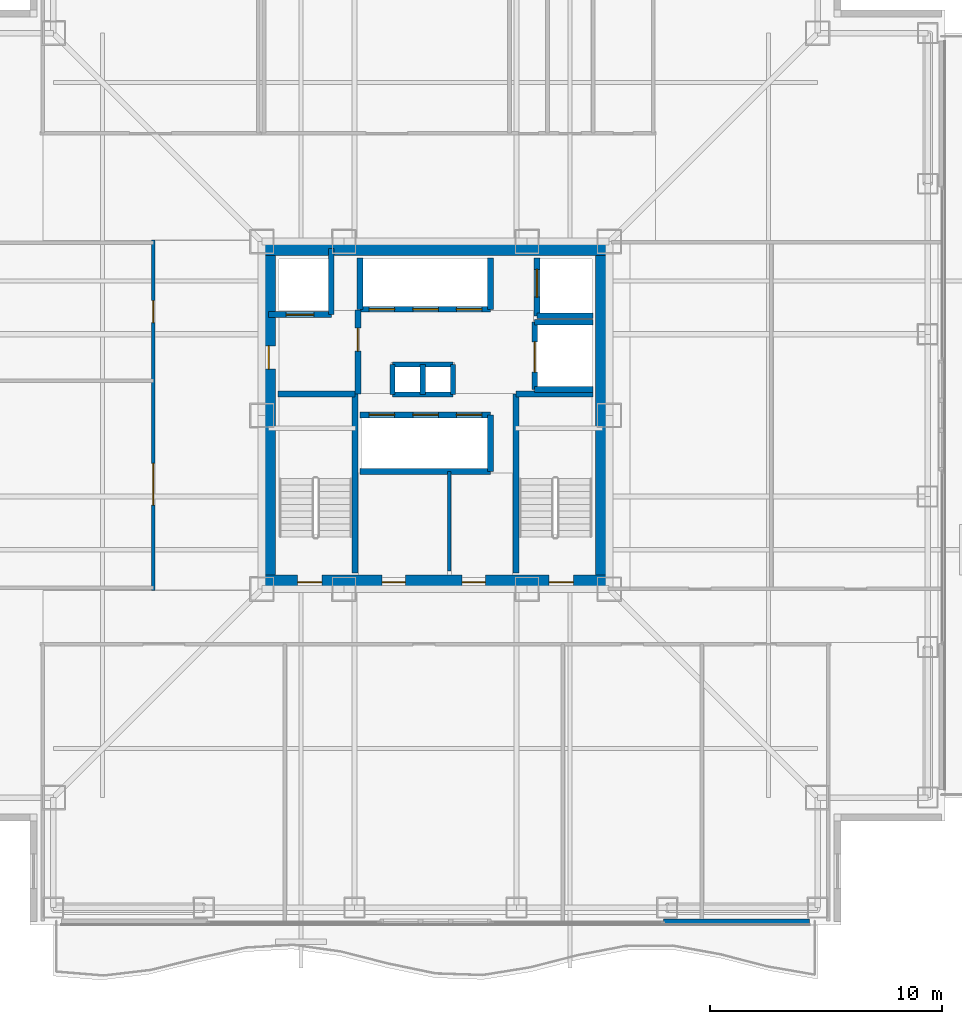
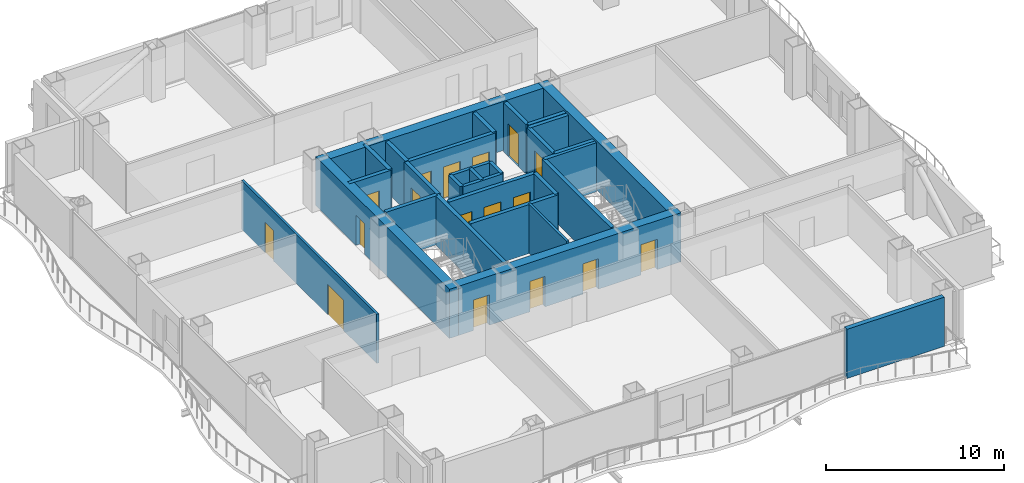
# One storey, part 12 of 18: 30 walls, 17 doors, 17 openings.
"""IFC4 building model written with IfcOpenShell, lengths in metres."""

from ifc_helpers import new_model, si_unit, direction, frame, frame_2d, origin, place, context, subcontext, project, spatial, rectangle, extrude, material, layer, layer_set, type_object, element, fill, save


model = new_model("IFC4")

# Units and contexts
model_context = context("Model", 3, precision=1e-05, world=origin(), true_north=direction((0.0, 1.0)))
body_context = subcontext(model_context, "Body", "Model", "MODEL_VIEW")
ifc_project = project(units=[si_unit("LENGTHUNIT", "METRE"), si_unit("AREAUNIT", "SQUARE_METRE"), si_unit("VOLUMEUNIT", "CUBIC_METRE"), si_unit("PLANEANGLEUNIT", "RADIAN"), si_unit("MASSUNIT", "GRAM", prefix="KILO")], contexts=[model_context])

# Site, building, storey
site_placement = place(None, origin())
site = spatial("IfcSite", under=ifc_project, at=site_placement, CompositionType="ELEMENT")
building_placement = place(site_placement, origin())
building = spatial("IfcBuilding", under=site, at=building_placement, Name="Trevonay Congress Spire", CompositionType="ELEMENT")
storey_placement = place(building_placement, frame((0.0, 0.0, 122.800048828125)))
storey = spatial("IfcBuildingStorey", under=building, at=storey_placement, Name="L31", CompositionType="ELEMENT", Elevation=122.800048828125)

# Wall, openings, doors
ifc_material_1 = material(Name="Concrete C60/75", Category="concrete")
ifc_layer_1 = layer(ifc_material_1, 0.60009765625, Name="Concrete C60/75")
ifc_layer_set_1 = layer_set([ifc_layer_1], Name="Concrete C60/75")
wall_type_1 = type_object("IfcWallType", Name="WAL-CORE-600", PredefinedType="SHEAR", material=ifc_layer_set_1)
wall_1_placement = place(storey_placement, frame((-7.5, -7.199951171875, 0.0), z_axis=(0.0, 0.0, 1.0), x_axis=(1.0, 0.0, 0.0)))
wall_1 = element("IfcWall", 1, at=wall_1_placement, inside=storey, type_object=wall_type_1, Name="L31 South structural core shear wall", PredefinedType="SHEAR", context=body_context, shape_type="SweptSolid", body=[
    extrude(rectangle(XDim=15.0, YDim=0.60009765625, at=frame_2d((7.5, 0.0))), origin(), (0.0, 0.0, 1.0), 3.35986328125),
])
opening_1_placement = place(wall_1_placement, frame((1.550048828125, 0.0, 0.0)))
opening_1 = element("IfcOpeningElement", 2, at=opening_1_placement, cuts=wall_1, Name="Opening D05", PredefinedType="OPENING", context=body_context, shape_type="SweptSolid", body=[
    extrude(rectangle(XDim=1.050048828125, YDim=2.080078125, at=frame_2d((0.52490234375, 1.0400390625))), frame((0.0, 0.31005859375, 0.0), z_axis=(0.0, -1.0, 0.0), x_axis=(1.0, 0.0, 0.0)), (0.0, 0.0, 1.0), 0.6201171875),
])
opening_2_placement = place(wall_1_placement, frame((12.39990234375, 0.0, 0.0)))
opening_2 = element("IfcOpeningElement", 3, at=opening_2_placement, cuts=wall_1, Name="Opening D05", PredefinedType="OPENING", context=body_context, shape_type="SweptSolid", body=[
    extrude(rectangle(XDim=1.050048828125, YDim=2.080078125, at=frame_2d((0.52490234375, 1.0400390625))), frame((0.0, 0.31005859375, 0.0), z_axis=(0.0, -1.0, 0.0), x_axis=(1.0, 0.0, 0.0)), (0.0, 0.0, 1.0), 0.6201171875),
])
opening_3_placement = place(wall_1_placement, frame((5.199951171875, 0.0, 0.0)))
opening_3 = element("IfcOpeningElement", 4, at=opening_3_placement, cuts=wall_1, Name="Opening D06", PredefinedType="OPENING", context=body_context, shape_type="SweptSolid", body=[
    extrude(rectangle(XDim=1.0, YDim=2.080078125, at=frame_2d((0.5, 1.0400390625))), frame((0.0, 0.31005859375, 0.0), z_axis=(0.0, -1.0, 0.0), x_axis=(1.0, 0.0, 0.0)), (0.0, 0.0, 1.0), 0.6201171875),
])
opening_4_placement = place(wall_1_placement, frame((8.64990234375, 0.0, 0.0)))
opening_4 = element("IfcOpeningElement", 5, at=opening_4_placement, cuts=wall_1, Name="Opening D06", PredefinedType="OPENING", context=body_context, shape_type="SweptSolid", body=[
    extrude(rectangle(XDim=1.0, YDim=2.080078125, at=frame_2d((0.5, 1.0400390625))), frame((0.0, 0.31005859375, 0.0), z_axis=(0.0, -1.0, 0.0), x_axis=(1.0, 0.0, 0.0)), (0.0, 0.0, 1.0), 0.6201171875),
])
ifc_material_2 = material(Name="Steel ASTM A572 Grade 50", Category="steel")
door_type_1 = type_object("IfcDoorType", Name="DOR-FIRE-100", OperationType="NOTDEFINED", PredefinedType="DOOR", material=ifc_material_2)
door_1_placement = place(opening_3_placement, origin())
door_1 = element("IfcDoor", 6, at=door_1_placement, inside=storey, type_object=door_type_1, Name="L31 South Core Room 1 Door", OperationType="SINGLE_SWING_LEFT", OverallHeight=2.080078125, OverallWidth=1.0, PredefinedType="DOOR", context=body_context, shape_type="SweptSolid", body=[
    extrude(rectangle(XDim=1.0, YDim=2.080078125, at=frame_2d((0.5, 1.0400390625))), frame((0.0, 0.02490234375, 0.0), z_axis=(0.0, -1.0, 0.0), x_axis=(1.0, 0.0, 0.0)), (0.0, 0.0, 1.0), 0.050048828125),
])
fill(opening_3, door_1)
door_2_placement = place(opening_4_placement, origin())
door_2 = element("IfcDoor", 7, at=door_2_placement, inside=storey, type_object=door_type_1, Name="L31 South Core Room 2 Door", OperationType="SINGLE_SWING_RIGHT", OverallHeight=2.080078125, OverallWidth=1.0, PredefinedType="DOOR", context=body_context, shape_type="SweptSolid", body=[
    extrude(rectangle(XDim=1.0, YDim=2.080078125, at=frame_2d((0.5, 1.0400390625))), frame((0.0, 0.02490234375, 0.0), z_axis=(0.0, -1.0, 0.0), x_axis=(1.0, 0.0, 0.0)), (0.0, 0.0, 1.0), 0.050048828125),
])
fill(opening_4, door_2)
door_type_2 = type_object("IfcDoorType", Name="DOR-STAIR-110", OperationType="NOTDEFINED", PredefinedType="DOOR", material=ifc_material_2)
door_3_placement = place(opening_1_placement, origin())
door_3 = element("IfcDoor", 8, at=door_3_placement, inside=storey, type_object=door_type_2, Name="L31 Protected Stair ST-1 Door", OperationType="SINGLE_SWING_RIGHT", OverallHeight=2.080078125, OverallWidth=1.050048828125, PredefinedType="DOOR", context=body_context, shape_type="SweptSolid", body=[
    extrude(rectangle(XDim=1.050048828125, YDim=2.080078125, at=frame_2d((0.52490234375, 1.0400390625))), frame((0.0, 0.02490234375, 0.0), z_axis=(0.0, -1.0, 0.0), x_axis=(1.0, 0.0, 0.0)), (0.0, 0.0, 1.0), 0.050048828125),
])
fill(opening_1, door_3)
door_4_placement = place(opening_2_placement, origin())
door_4 = element("IfcDoor", 9, at=door_4_placement, inside=storey, type_object=door_type_2, Name="L31 Protected Stair ST-2 Door", OperationType="SINGLE_SWING_LEFT", OverallHeight=2.080078125, OverallWidth=1.050048828125, PredefinedType="DOOR", context=body_context, shape_type="SweptSolid", body=[
    extrude(rectangle(XDim=1.050048828125, YDim=2.080078125, at=frame_2d((0.52490234375, 1.0400390625))), frame((0.0, 0.02490234375, 0.0), z_axis=(0.0, -1.0, 0.0), x_axis=(1.0, 0.0, 0.0)), (0.0, 0.0, 1.0), 0.050048828125),
])
fill(opening_2, door_4)

# Wall
wall_2_placement = place(storey_placement, frame((-7.5, 7.199951171875, 0.0), z_axis=(0.0, 0.0, 1.0), x_axis=(1.0, 0.0, 0.0)))
element("IfcWall", 10, at=wall_2_placement, inside=storey, type_object=wall_type_1, Name="L31 North structural core shear wall", PredefinedType="SHEAR", context=body_context, shape_type="SweptSolid", body=[
    extrude(rectangle(XDim=15.0, YDim=0.60009765625, at=frame_2d((7.5, 0.0))), origin(), (0.0, 0.0, 1.0), 3.35986328125),
])

# Wall, opening, door
wall_3_placement = place(storey_placement, frame((-7.199951171875, -7.5, 0.0), z_axis=(0.0, 0.0, 1.0), x_axis=(0.0, 1.0, 0.0)))
wall_3 = element("IfcWall", 11, at=wall_3_placement, inside=storey, type_object=wall_type_1, Name="L31 West structural core shear wall", PredefinedType="SHEAR", context=body_context, shape_type="SweptSolid", body=[
    extrude(rectangle(XDim=15.0, YDim=0.60009765625, at=frame_2d((7.5, 0.0))), origin(), (0.0, 0.0, 1.0), 3.35986328125),
])
opening_5_placement = place(wall_3_placement, frame((9.5, 0.0, 0.0)))
opening_5 = element("IfcOpeningElement", 12, at=opening_5_placement, cuts=wall_3, Name="Opening D06", PredefinedType="OPENING", context=body_context, shape_type="SweptSolid", body=[
    extrude(rectangle(XDim=1.0, YDim=2.080078125, at=frame_2d((0.5, 1.0400390625))), frame((0.0, 0.31005859375, 0.0), z_axis=(0.0, -1.0, 0.0), x_axis=(1.0, 0.0, 0.0)), (0.0, 0.0, 1.0), 0.6201171875),
])
door_5_placement = place(opening_5_placement, origin())
door_5 = element("IfcDoor", 13, at=door_5_placement, inside=storey, type_object=door_type_1, Name="L31 Firefighting Lift Lobby West Corridor Door", OperationType="SINGLE_SWING_RIGHT", OverallHeight=2.080078125, OverallWidth=1.0, PredefinedType="DOOR", context=body_context, shape_type="SweptSolid", body=[
    extrude(rectangle(XDim=1.0, YDim=2.080078125, at=frame_2d((0.5, 1.0400390625))), frame((0.0, 0.02490234375, 0.0), z_axis=(0.0, -1.0, 0.0), x_axis=(1.0, 0.0, 0.0)), (0.0, 0.0, 1.0), 0.050048828125),
])
fill(opening_5, door_5)

# Wall
wall_4_placement = place(storey_placement, frame((7.199951171875, -7.5, 0.0), z_axis=(0.0, 0.0, 1.0), x_axis=(0.0, 1.0, 0.0)))
element("IfcWall", 14, at=wall_4_placement, inside=storey, type_object=wall_type_1, Name="L31 East structural core shear wall", PredefinedType="SHEAR", context=body_context, shape_type="SweptSolid", body=[
    extrude(rectangle(XDim=15.0, YDim=0.60009765625, at=frame_2d((7.5, 0.0))), origin(), (0.0, 0.0, 1.0), 3.35986328125),
])

# Wall, openings, doors
ifc_material_3 = material(Name="Concrete C40/50", Category="concrete")
ifc_layer_2 = layer(ifc_material_3, 0.14990234375, Name="Concrete C40/50")
ifc_layer_set_2 = layer_set([ifc_layer_2], Name="Concrete C40/50")
wall_type_2 = type_object("IfcWallType", Name="WAL-CORR-150", PredefinedType="PARTITIONING", material=ifc_layer_set_2)
wall_5_placement = place(storey_placement, frame((-12.179931640625, -7.570068359375, 0.0), z_axis=(0.0, 0.0, 1.0), x_axis=(0.0, 1.0, 0.0)))
wall_5 = element("IfcWall", 15, at=wall_5_placement, inside=storey, type_object=wall_type_2, Name="L31 interior wall WP-L31W-COR", PredefinedType="PARTITIONING", context=body_context, shape_type="SweptSolid", body=[
    extrude(rectangle(XDim=15.14013671875, YDim=0.14990234375, at=frame_2d((7.570068359375, 0.0))), origin(), (0.0, 0.0, 1.0), 3.35986328125),
])
opening_6_placement = place(wall_5_placement, frame((3.695068359375, 0.0, 0.0)))
opening_6 = element("IfcOpeningElement", 16, at=opening_6_placement, cuts=wall_5, Name="Opening D09", PredefinedType="OPENING", context=body_context, shape_type="SweptSolid", body=[
    extrude(rectangle(XDim=1.800048828125, YDim=2.080078125, at=frame_2d((0.89990234375, 1.0400390625))), frame((0.0, 0.0849609375, 0.0), z_axis=(0.0, -1.0, 0.0), x_axis=(1.0, 0.0, 0.0)), (0.0, 0.0, 1.0), 0.169921875),
])
opening_7_placement = place(wall_5_placement, frame((11.570068359375, 0.0, 0.0)))
opening_7 = element("IfcOpeningElement", 17, at=opening_7_placement, cuts=wall_5, Name="Opening D07", PredefinedType="OPENING", context=body_context, shape_type="SweptSolid", body=[
    extrude(rectangle(XDim=0.949951171875, YDim=2.06005859375, at=frame_2d((0.47509765625, 1.030029296875))), frame((0.0, 0.0849609375, 0.0), z_axis=(0.0, -1.0, 0.0), x_axis=(1.0, 0.0, 0.0)), (0.0, 0.0, 1.0), 0.169921875),
])
ifc_material_4 = material(Name="Pale Anodised Aluminium EN AW-6063-T6", Category="aluminium")
door_type_3 = type_object("IfcDoorType", Name="DOR-CONF-DBL", OperationType="DOUBLE_DOOR_SINGLE_SWING", PredefinedType="DOOR", material=ifc_material_4)
door_6_placement = place(opening_6_placement, origin())
door_6 = element("IfcDoor", 18, at=door_6_placement, inside=storey, type_object=door_type_3, Name="L31 Delegates Club Lounge Door", OperationType="DOUBLE_DOOR_SINGLE_SWING", OverallHeight=2.080078125, OverallWidth=1.800048828125, PredefinedType="DOOR", context=body_context, shape_type="SweptSolid", body=[
    extrude(rectangle(XDim=1.800048828125, YDim=2.080078125, at=frame_2d((0.89990234375, 1.0400390625))), frame((0.0, 0.02490234375, 0.0), z_axis=(0.0, -1.0, 0.0), x_axis=(1.0, 0.0, 0.0)), (0.0, 0.0, 1.0), 0.050048828125),
])
fill(opening_6, door_6)
door_type_4 = type_object("IfcDoorType", Name="DOR-OFFICE-95", OperationType="NOTDEFINED", PredefinedType="DOOR", material=ifc_material_4)
door_7_placement = place(opening_7_placement, origin())
door_7 = element("IfcDoor", 19, at=door_7_placement, inside=storey, type_object=door_type_4, Name="L31 Sommelier Bar Door", OperationType="SINGLE_SWING_LEFT", OverallHeight=2.06005859375, OverallWidth=0.949951171875, PredefinedType="DOOR", context=body_context, shape_type="SweptSolid", body=[
    extrude(rectangle(XDim=0.949951171875, YDim=2.06005859375, at=frame_2d((0.47509765625, 1.030029296875))), frame((0.0, 0.02490234375, 0.0), z_axis=(0.0, -1.0, 0.0), x_axis=(1.0, 0.0, 0.0)), (0.0, 0.0, 1.0), 0.050048828125),
])
fill(opening_7, door_7)

# Walls
ifc_material_5 = material(Name="Precast concrete C40/50", Category="concrete")
ifc_layer_3 = layer(ifc_material_5, 0.300048828125, Name="Precast concrete C40/50")
ifc_layer_set_3 = layer_set([ifc_layer_3], Name="Precast concrete C40/50")
wall_type_3 = type_object("IfcWallType", Name="WAL-EXT-PRECAST-300", PredefinedType="SOLIDWALL", material=ifc_layer_set_3)
wall_6_placement = place(storey_placement, frame((9.85009765625, -21.8798828125, 0.0), z_axis=(0.0, 0.0, 1.0), x_axis=(1.0, 0.0, 0.0)))
element("IfcWall", 20, at=wall_6_placement, inside=storey, type_object=wall_type_3, Name="L31 SR braced-bay exterior pier wall", PredefinedType="SOLIDWALL", context=body_context, shape_type="SweptSolid", body=[
    extrude(rectangle(XDim=6.2998046875, YDim=0.300048828125, at=frame_2d((3.14990234375, 0.0))), origin(), (0.0, 0.0, 1.0), 3.35986328125),
])
ifc_layer_4 = layer(ifc_material_3, 0.14990234375, Name="Concrete C40/50")
ifc_layer_set_4 = layer_set([ifc_layer_4], Name="Concrete C40/50")
wall_type_4 = type_object("IfcWallType", Name="WAL-PART-150", PredefinedType="PARTITIONING", material=ifc_layer_set_4)
wall_7_placement = place(storey_placement, frame((0.60009765625, -6.719970703125, 0.0), z_axis=(0.0, 0.0, 1.0), x_axis=(0.0, 1.0, 0.0)))
element("IfcWall", 21, at=wall_7_placement, inside=storey, type_object=wall_type_4, Name="L31 interior wall CW-F1V-L31", PredefinedType="PARTITIONING", context=body_context, shape_type="SweptSolid", body=[
    extrude(rectangle(XDim=4.2900390625, YDim=0.14990234375, at=frame_2d((2.14501953125, 0.0))), origin(), (0.0, 0.0, 1.0), 3.35986328125),
])
ifc_layer_5 = layer(ifc_material_3, 0.219970703125, Name="Concrete C40/50")
ifc_layer_set_5 = layer_set([ifc_layer_5], Name="Concrete C40/50")
wall_type_5 = type_object("IfcWallType", Name="WAL-SHAFT-220", PredefinedType="PARTITIONING", material=ifc_layer_set_5)
for number, where, z_axis, x_axis, name in (
    (22, (-1.85009765625, 2.199951171875, 0.0), (0.0, 0.0, 1.0), (1.0, 0.0, 0.0), "L31 interior shaft wall WSH-L31-RSR-N"),
    (23, (-1.85009765625, 0.89990234375, 0.0), (0.0, 0.0, 1.0), (1.0, 0.0, 0.0), "L31 interior shaft wall WSH-L31-RSR-S"),
):
    element("IfcWall", number, at=place(storey_placement, frame(where, z_axis=z_axis, x_axis=x_axis)), inside=storey, type_object=wall_type_5, Name=name, PredefinedType="PARTITIONING", context=body_context, shape_type="SweptSolid", body=[
        extrude(rectangle(XDim=2.60009765625, YDim=0.219970703125, at=frame_2d((1.300048828125, 0.0))), origin(), (0.0, 0.0, 1.0), 3.35986328125),
    ])
for number, where, z_axis, x_axis, name in (
    (24, (-0.550048828125, 0.89990234375, 0.0), (0.0, 0.0, 1.0), (0.0, 1.0, 0.0), "L31 interior shaft wall WSH-L31-RSR-M"),
    (25, (0.75, 0.89990234375, 0.0), (0.0, 0.0, 1.0), (0.0, 1.0, 0.0), "L31 interior shaft wall WSH-L31-RSR-E"),
    (26, (-1.85009765625, 0.89990234375, 0.0), (0.0, 0.0, 1.0), (0.0, 1.0, 0.0), "L31 interior shaft wall WSH-L31-RSR-W"),
):
    element("IfcWall", number, at=place(storey_placement, frame(where, z_axis=z_axis, x_axis=x_axis)), inside=storey, type_object=wall_type_5, Name=name, PredefinedType="PARTITIONING", context=body_context, shape_type="SweptSolid", body=[
        extrude(rectangle(XDim=1.300048828125, YDim=0.219970703125, at=frame_2d((0.64990234375, 0.0))), origin(), (0.0, 0.0, 1.0), 3.35986328125),
    ])

# Wall, openings, doors
ifc_layer_6 = layer(ifc_material_3, 0.25, Name="Concrete C40/50")
ifc_layer_set_6 = layer_set([ifc_layer_6], Name="Concrete C40/50")
wall_type_6 = type_object("IfcWallType", Name="WAL-SHAFT-250", PredefinedType="SHEAR", material=ifc_layer_set_6)
wall_8_placement = place(storey_placement, frame((-3.260009765625, 0.02001953125, 0.0), z_axis=(0.0, 0.0, 1.0), x_axis=(1.0, 0.0, 0.0)))
wall_8 = element("IfcWall", 27, at=wall_8_placement, inside=storey, type_object=wall_type_6, Name="L31 interior shaft wall WSH-L31-B2-N", PredefinedType="SHEAR", context=body_context, shape_type="SweptSolid", body=[
    extrude(rectangle(XDim=5.639892578125, YDim=0.25, at=frame_2d((2.81982421875, 0.0))), origin(), (0.0, 0.0, 1.0), 3.35986328125),
])
opening_8_placement = place(wall_8_placement, frame((0.39990234375, 0.0, 0.0)))
opening_8 = element("IfcOpeningElement", 28, at=opening_8_placement, cuts=wall_8, Name="Opening LD02", PredefinedType="OPENING", context=body_context, shape_type="SweptSolid", body=[
    extrude(rectangle(XDim=1.10009765625, YDim=2.199951171875, at=frame_2d((0.550048828125, 1.10009765625))), frame((0.0, 0.135009765625, 0.0), z_axis=(0.0, -1.0, 0.0), x_axis=(1.0, 0.0, 0.0)), (0.0, 0.0, 1.0), 0.27001953125),
])
opening_9_placement = place(wall_8_placement, frame((2.280029296875, 0.0, 0.0)))
opening_9 = element("IfcOpeningElement", 29, at=opening_9_placement, cuts=wall_8, Name="Opening LD02", PredefinedType="OPENING", context=body_context, shape_type="SweptSolid", body=[
    extrude(rectangle(XDim=1.10009765625, YDim=2.199951171875, at=frame_2d((0.550048828125, 1.10009765625))), frame((0.0, 0.135009765625, 0.0), z_axis=(0.0, -1.0, 0.0), x_axis=(1.0, 0.0, 0.0)), (0.0, 0.0, 1.0), 0.27001953125),
])
opening_10_placement = place(wall_8_placement, frame((4.159912109375, 0.0, 0.0)))
opening_10 = element("IfcOpeningElement", 30, at=opening_10_placement, cuts=wall_8, Name="Opening LD02", PredefinedType="OPENING", context=body_context, shape_type="SweptSolid", body=[
    extrude(rectangle(XDim=1.10009765625, YDim=2.199951171875, at=frame_2d((0.550048828125, 1.10009765625))), frame((0.0, 0.135009765625, 0.0), z_axis=(0.0, -1.0, 0.0), x_axis=(1.0, 0.0, 0.0)), (0.0, 0.0, 1.0), 0.27001953125),
])
door_type_5 = type_object("IfcDoorType", Name="DOR-LIFT-LD02", OperationType="DOUBLE_DOOR_SLIDING", PredefinedType="DOOR", material=ifc_material_4)
door_8_placement = place(opening_8_placement, origin())
door_8 = element("IfcDoor", 31, at=door_8_placement, inside=storey, type_object=door_type_5, Name="L31 Passenger lift PL-04 landing door", OperationType="DOUBLE_DOOR_SLIDING", OverallHeight=2.199951171875, OverallWidth=1.10009765625, PredefinedType="DOOR", context=body_context, shape_type="SweptSolid", body=[
    extrude(rectangle(XDim=1.10009765625, YDim=2.199951171875, at=frame_2d((0.550048828125, 1.10009765625))), frame((0.0, 0.02490234375, 0.0), z_axis=(0.0, -1.0, 0.0), x_axis=(1.0, 0.0, 0.0)), (0.0, 0.0, 1.0), 0.050048828125),
])
fill(opening_8, door_8)
door_9_placement = place(opening_9_placement, origin())
door_9 = element("IfcDoor", 32, at=door_9_placement, inside=storey, type_object=door_type_5, Name="L31 Passenger lift PL-05 landing door", OperationType="DOUBLE_DOOR_SLIDING", OverallHeight=2.199951171875, OverallWidth=1.10009765625, PredefinedType="DOOR", context=body_context, shape_type="SweptSolid", body=[
    extrude(rectangle(XDim=1.10009765625, YDim=2.199951171875, at=frame_2d((0.550048828125, 1.10009765625))), frame((0.0, 0.02490234375, 0.0), z_axis=(0.0, -1.0, 0.0), x_axis=(1.0, 0.0, 0.0)), (0.0, 0.0, 1.0), 0.050048828125),
])
fill(opening_9, door_9)
door_10_placement = place(opening_10_placement, origin())
door_10 = element("IfcDoor", 33, at=door_10_placement, inside=storey, type_object=door_type_5, Name="L31 Passenger lift PL-06 landing door", OperationType="DOUBLE_DOOR_SLIDING", OverallHeight=2.199951171875, OverallWidth=1.10009765625, PredefinedType="DOOR", context=body_context, shape_type="SweptSolid", body=[
    extrude(rectangle(XDim=1.10009765625, YDim=2.199951171875, at=frame_2d((0.550048828125, 1.10009765625))), frame((0.0, 0.02490234375, 0.0), z_axis=(0.0, -1.0, 0.0), x_axis=(1.0, 0.0, 0.0)), (0.0, 0.0, 1.0), 0.050048828125),
])
fill(opening_10, door_10)

# Walls
wall_9_placement = place(storey_placement, frame((-3.260009765625, -2.419921875, 0.0), z_axis=(0.0, 0.0, 1.0), x_axis=(1.0, 0.0, 0.0)))
element("IfcWall", 34, at=wall_9_placement, inside=storey, type_object=wall_type_6, Name="L31 interior shaft wall WSH-L31-B2-S", PredefinedType="SHEAR", context=body_context, shape_type="SweptSolid", body=[
    extrude(rectangle(XDim=5.639892578125, YDim=0.25, at=frame_2d((2.81982421875, 0.0))), origin(), (0.0, 0.0, 1.0), 3.35986328125),
])
wall_10_placement = place(storey_placement, frame((2.3798828125, -2.419921875, 0.0), z_axis=(0.0, 0.0, 1.0), x_axis=(0.0, 1.0, 0.0)))
element("IfcWall", 35, at=wall_10_placement, inside=storey, type_object=wall_type_6, Name="L31 interior shaft wall WSH-L31-B2-E", PredefinedType="SHEAR", context=body_context, shape_type="SweptSolid", body=[
    extrude(rectangle(XDim=2.43994140625, YDim=0.25, at=frame_2d((1.219970703125, 0.0))), origin(), (0.0, 0.0, 1.0), 3.35986328125),
])

# Wall, openings, doors
wall_11_placement = place(storey_placement, frame((-3.260009765625, 4.580078125, 0.0), z_axis=(0.0, 0.0, 1.0), x_axis=(1.0, 0.0, 0.0)))
wall_11 = element("IfcWall", 36, at=wall_11_placement, inside=storey, type_object=wall_type_6, Name="L31 interior shaft wall WSH-L31-B3-S", PredefinedType="SHEAR", context=body_context, shape_type="SweptSolid", body=[
    extrude(rectangle(XDim=5.639892578125, YDim=0.25, at=frame_2d((2.81982421875, 0.0))), origin(), (0.0, 0.0, 1.0), 3.35986328125),
])
opening_11_placement = place(wall_11_placement, frame((0.39990234375, 0.0, 0.0)))
opening_11 = element("IfcOpeningElement", 37, at=opening_11_placement, cuts=wall_11, Name="Opening LD03", PredefinedType="OPENING", context=body_context, shape_type="SweptSolid", body=[
    extrude(rectangle(XDim=1.10009765625, YDim=2.199951171875, at=frame_2d((0.550048828125, 1.10009765625))), frame((0.0, 0.135009765625, 0.0), z_axis=(0.0, -1.0, 0.0), x_axis=(1.0, 0.0, 0.0)), (0.0, 0.0, 1.0), 0.27001953125),
])
opening_12_placement = place(wall_11_placement, frame((2.280029296875, 0.0, 0.0)))
opening_12 = element("IfcOpeningElement", 38, at=opening_12_placement, cuts=wall_11, Name="Opening LD03", PredefinedType="OPENING", context=body_context, shape_type="SweptSolid", body=[
    extrude(rectangle(XDim=1.10009765625, YDim=2.199951171875, at=frame_2d((0.550048828125, 1.10009765625))), frame((0.0, 0.135009765625, 0.0), z_axis=(0.0, -1.0, 0.0), x_axis=(1.0, 0.0, 0.0)), (0.0, 0.0, 1.0), 0.27001953125),
])
opening_13_placement = place(wall_11_placement, frame((4.159912109375, 0.0, 0.0)))
opening_13 = element("IfcOpeningElement", 39, at=opening_13_placement, cuts=wall_11, Name="Opening LD03", PredefinedType="OPENING", context=body_context, shape_type="SweptSolid", body=[
    extrude(rectangle(XDim=1.10009765625, YDim=2.199951171875, at=frame_2d((0.550048828125, 1.10009765625))), frame((0.0, 0.135009765625, 0.0), z_axis=(0.0, -1.0, 0.0), x_axis=(1.0, 0.0, 0.0)), (0.0, 0.0, 1.0), 0.27001953125),
])
door_type_6 = type_object("IfcDoorType", Name="DOR-LIFT-LD03", OperationType="DOUBLE_DOOR_SLIDING", PredefinedType="DOOR", material=ifc_material_4)
door_11_placement = place(opening_11_placement, origin())
door_11 = element("IfcDoor", 40, at=door_11_placement, inside=storey, type_object=door_type_6, Name="L31 Passenger lift PL-07 landing door", OperationType="DOUBLE_DOOR_SLIDING", OverallHeight=2.199951171875, OverallWidth=1.10009765625, PredefinedType="DOOR", context=body_context, shape_type="SweptSolid", body=[
    extrude(rectangle(XDim=1.10009765625, YDim=2.199951171875, at=frame_2d((0.550048828125, 1.10009765625))), frame((0.0, 0.02490234375, 0.0), z_axis=(0.0, -1.0, 0.0), x_axis=(1.0, 0.0, 0.0)), (0.0, 0.0, 1.0), 0.050048828125),
])
fill(opening_11, door_11)
door_12_placement = place(opening_12_placement, origin())
door_12 = element("IfcDoor", 41, at=door_12_placement, inside=storey, type_object=door_type_6, Name="L31 Passenger lift PL-08 landing door", OperationType="DOUBLE_DOOR_SLIDING", OverallHeight=2.199951171875, OverallWidth=1.10009765625, PredefinedType="DOOR", context=body_context, shape_type="SweptSolid", body=[
    extrude(rectangle(XDim=1.10009765625, YDim=2.199951171875, at=frame_2d((0.550048828125, 1.10009765625))), frame((0.0, 0.02490234375, 0.0), z_axis=(0.0, -1.0, 0.0), x_axis=(1.0, 0.0, 0.0)), (0.0, 0.0, 1.0), 0.050048828125),
])
fill(opening_12, door_12)
door_13_placement = place(opening_13_placement, origin())
door_13 = element("IfcDoor", 42, at=door_13_placement, inside=storey, type_object=door_type_6, Name="L31 Passenger lift PL-09 landing door", OperationType="DOUBLE_DOOR_SLIDING", OverallHeight=2.199951171875, OverallWidth=1.10009765625, PredefinedType="DOOR", context=body_context, shape_type="SweptSolid", body=[
    extrude(rectangle(XDim=1.10009765625, YDim=2.199951171875, at=frame_2d((0.550048828125, 1.10009765625))), frame((0.0, 0.02490234375, 0.0), z_axis=(0.0, -1.0, 0.0), x_axis=(1.0, 0.0, 0.0)), (0.0, 0.0, 1.0), 0.050048828125),
])
fill(opening_13, door_13)

# Walls
for number, where, z_axis, x_axis, name in (
    (43, (-3.260009765625, 4.580078125, 0.0), (0.0, 0.0, 1.0), (0.0, 1.0, 0.0), "L31 interior shaft wall WSH-L31-B3-W"),
    (44, (2.3798828125, 4.580078125, 0.0), (0.0, 0.0, 1.0), (0.0, 1.0, 0.0), "L31 interior shaft wall WSH-L31-B3-E"),
):
    element("IfcWall", number, at=place(storey_placement, frame(where, z_axis=z_axis, x_axis=x_axis)), inside=storey, type_object=wall_type_6, Name=name, PredefinedType="SHEAR", context=body_context, shape_type="SweptSolid", body=[
        extrude(rectangle(XDim=2.219970703125, YDim=0.25, at=frame_2d((1.10986328125, 0.0))), origin(), (0.0, 0.0, 1.0), 3.35986328125),
    ])

# Wall, opening, door
wall_12_placement = place(storey_placement, frame((-7.199951171875, 4.35009765625, 0.0), z_axis=(0.0, 0.0, 1.0), x_axis=(1.0, 0.0, 0.0)))
wall_12 = element("IfcWall", 45, at=wall_12_placement, inside=storey, type_object=wall_type_6, Name="L31 interior shaft wall WSH-L31-FF1-S", PredefinedType="SHEAR", context=body_context, shape_type="SweptSolid", body=[
    extrude(rectangle(XDim=2.699951171875, YDim=0.25, at=frame_2d((1.35009765625, 0.0))), origin(), (0.0, 0.0, 1.0), 3.35986328125),
])
opening_14_placement = place(wall_12_placement, frame((0.75, 0.0, 0.0)))
opening_14 = element("IfcOpeningElement", 46, at=opening_14_placement, cuts=wall_12, Name="Opening LD04", PredefinedType="OPENING", context=body_context, shape_type="SweptSolid", body=[
    extrude(rectangle(XDim=1.199951171875, YDim=2.199951171875, at=frame_2d((0.60009765625, 1.10009765625))), frame((0.0, 0.135009765625, 0.0), z_axis=(0.0, -1.0, 0.0), x_axis=(1.0, 0.0, 0.0)), (0.0, 0.0, 1.0), 0.27001953125),
])
door_type_7 = type_object("IfcDoorType", Name="DOR-LIFT-LD04", OperationType="DOUBLE_DOOR_SLIDING", PredefinedType="DOOR", material=ifc_material_2)
door_14_placement = place(opening_14_placement, origin())
door_14 = element("IfcDoor", 47, at=door_14_placement, inside=storey, type_object=door_type_7, Name="L31 Firefighting lift FFL-01 landing door", OperationType="DOUBLE_DOOR_SLIDING", OverallHeight=2.199951171875, OverallWidth=1.199951171875, PredefinedType="DOOR", context=body_context, shape_type="SweptSolid", body=[
    extrude(rectangle(XDim=1.199951171875, YDim=2.199951171875, at=frame_2d((0.60009765625, 1.10009765625))), frame((0.0, 0.02490234375, 0.0), z_axis=(0.0, -1.0, 0.0), x_axis=(1.0, 0.0, 0.0)), (0.0, 0.0, 1.0), 0.050048828125),
])
fill(opening_14, door_14)

# Walls
wall_13_placement = place(storey_placement, frame((-4.5, 4.35009765625, 0.0), z_axis=(0.0, 0.0, 1.0), x_axis=(0.0, 1.0, 0.0)))
element("IfcWall", 48, at=wall_13_placement, inside=storey, type_object=wall_type_6, Name="L31 interior shaft wall WSH-L31-FF1-E", PredefinedType="SHEAR", context=body_context, shape_type="SweptSolid", body=[
    extrude(rectangle(XDim=2.849853515625, YDim=0.25, at=frame_2d((1.4248046875, 0.0))), origin(), (0.0, 0.0, 1.0), 3.35986328125),
])
wall_14_placement = place(storey_placement, frame((4.3798828125, 4.300048828125, 0.0), z_axis=(0.0, 0.0, 1.0), x_axis=(1.0, 0.0, 0.0)))
element("IfcWall", 49, at=wall_14_placement, inside=storey, type_object=wall_type_6, Name="L31 interior shaft wall WSH-L31-FF2-S", PredefinedType="SHEAR", context=body_context, shape_type="SweptSolid", body=[
    extrude(rectangle(XDim=2.420166015625, YDim=0.25, at=frame_2d((1.2099609375, 0.0))), origin(), (0.0, 0.0, 1.0), 3.35986328125),
])

# Wall, opening, door
wall_15_placement = place(storey_placement, frame((4.3798828125, 4.300048828125, 0.0), z_axis=(0.0, 0.0, 1.0), x_axis=(0.0, 1.0, 0.0)))
wall_15 = element("IfcWall", 50, at=wall_15_placement, inside=storey, type_object=wall_type_6, Name="L31 interior shaft wall WSH-L31-FF2-W", PredefinedType="SHEAR", context=body_context, shape_type="SweptSolid", body=[
    extrude(rectangle(XDim=2.5, YDim=0.25, at=frame_2d((1.25, 0.0))), origin(), (0.0, 0.0, 1.0), 3.35986328125),
])
opening_15_placement = place(wall_15_placement, frame((0.800048828125, 0.0, 0.0)))
opening_15 = element("IfcOpeningElement", 51, at=opening_15_placement, cuts=wall_15, Name="Opening LD04", PredefinedType="OPENING", context=body_context, shape_type="SweptSolid", body=[
    extrude(rectangle(XDim=1.199951171875, YDim=2.199951171875, at=frame_2d((0.60009765625, 1.10009765625))), frame((0.0, 0.135009765625, 0.0), z_axis=(0.0, -1.0, 0.0), x_axis=(1.0, 0.0, 0.0)), (0.0, 0.0, 1.0), 0.27001953125),
])
door_15_placement = place(opening_15_placement, origin())
door_15 = element("IfcDoor", 52, at=door_15_placement, inside=storey, type_object=door_type_7, Name="L31 Firefighting lift FFL-02 landing door", OperationType="DOUBLE_DOOR_SLIDING", OverallHeight=2.199951171875, OverallWidth=1.199951171875, PredefinedType="DOOR", context=body_context, shape_type="SweptSolid", body=[
    extrude(rectangle(XDim=1.199951171875, YDim=2.199951171875, at=frame_2d((0.60009765625, 1.10009765625))), frame((0.0, 0.02490234375, 0.0), z_axis=(0.0, -1.0, 0.0), x_axis=(1.0, 0.0, 0.0)), (0.0, 0.0, 1.0), 0.050048828125),
])
fill(opening_15, door_15)

wall_16_placement = place(storey_placement, frame((4.280029296875, 1.1201171875, 0.0), z_axis=(0.0, 0.0, 1.0), x_axis=(0.0, 1.0, 0.0)))
wall_16 = element("IfcWall", 53, at=wall_16_placement, inside=storey, type_object=wall_type_6, Name="L31 interior shaft wall WSH-L31-SV-W", PredefinedType="SHEAR", context=body_context, shape_type="SweptSolid", body=[
    extrude(rectangle(XDim=2.89990234375, YDim=0.25, at=frame_2d((1.449951171875, 0.0))), origin(), (0.0, 0.0, 1.0), 3.35986328125),
])
opening_16_placement = place(wall_16_placement, frame((0.75, 0.0, 0.0)))
opening_16 = element("IfcOpeningElement", 54, at=opening_16_placement, cuts=wall_16, Name="Opening LD05", PredefinedType="OPENING", context=body_context, shape_type="SweptSolid", body=[
    extrude(rectangle(XDim=1.300048828125, YDim=2.300048828125, at=frame_2d((0.64990234375, 1.14990234375))), frame((0.0, 0.135009765625, 0.0), z_axis=(0.0, -1.0, 0.0), x_axis=(1.0, 0.0, 0.0)), (0.0, 0.0, 1.0), 0.27001953125),
])
door_type_8 = type_object("IfcDoorType", Name="DOR-LIFT-LD05", OperationType="DOUBLE_DOOR_SLIDING", PredefinedType="DOOR", material=ifc_material_2)
door_16_placement = place(opening_16_placement, origin())
door_16 = element("IfcDoor", 55, at=door_16_placement, inside=storey, type_object=door_type_8, Name="L31 Goods lift SVL-01 landing door", OperationType="DOUBLE_DOOR_SLIDING", OverallHeight=2.300048828125, OverallWidth=1.300048828125, PredefinedType="DOOR", context=body_context, shape_type="SweptSolid", body=[
    extrude(rectangle(XDim=1.300048828125, YDim=2.300048828125, at=frame_2d((0.64990234375, 1.14990234375))), frame((0.0, 0.02490234375, 0.0), z_axis=(0.0, -1.0, 0.0), x_axis=(1.0, 0.0, 0.0)), (0.0, 0.0, 1.0), 0.050048828125),
])
fill(opening_16, door_16)

# Walls
for number, where, z_axis, x_axis, name in (
    (56, (4.280029296875, 1.1201171875, 0.0), (0.0, 0.0, 1.0), (1.0, 0.0, 0.0), "L31 interior shaft wall WSH-L31-SV-S"),
    (57, (4.280029296875, 4.02001953125, 0.0), (0.0, 0.0, 1.0), (1.0, 0.0, 0.0), "L31 interior shaft wall WSH-L31-SV-N"),
):
    element("IfcWall", number, at=place(storey_placement, frame(where, z_axis=z_axis, x_axis=x_axis)), inside=storey, type_object=wall_type_6, Name=name, PredefinedType="SHEAR", context=body_context, shape_type="SweptSolid", body=[
        extrude(rectangle(XDim=2.52001953125, YDim=0.25, at=frame_2d((1.260009765625, 0.0))), origin(), (0.0, 0.0, 1.0), 3.35986328125),
    ])

# Wall, opening, door
wall_17_placement = place(storey_placement, frame((-3.35009765625, 0.919921875, 0.0), z_axis=(0.0, 0.0, 1.0), x_axis=(0.0, 1.0, 0.0)))
wall_17 = element("IfcWall", 58, at=wall_17_placement, inside=storey, type_object=wall_type_6, Name="L31 interior wall CW-FFLW-E-L31", PredefinedType="SHEAR", context=body_context, shape_type="SweptSolid", body=[
    extrude(rectangle(XDim=3.6201171875, YDim=0.25, at=frame_2d((1.81005859375, 0.0))), origin(), (0.0, 0.0, 1.0), 3.35986328125),
])
opening_17_placement = place(wall_17_placement, frame((1.85009765625, 0.0, 0.0)))
opening_17 = element("IfcOpeningElement", 59, at=opening_17_placement, cuts=wall_17, Name="Opening D06", PredefinedType="OPENING", context=body_context, shape_type="SweptSolid", body=[
    extrude(rectangle(XDim=1.0, YDim=2.080078125, at=frame_2d((0.5, 1.0400390625))), frame((0.0, 0.135009765625, 0.0), z_axis=(0.0, -1.0, 0.0), x_axis=(1.0, 0.0, 0.0)), (0.0, 0.0, 1.0), 0.27001953125),
])
door_17_placement = place(opening_17_placement, origin())
door_17 = element("IfcDoor", 60, at=door_17_placement, inside=storey, type_object=door_type_1, Name="L31 Firefighting Core Lobby Transfer Door", OperationType="SINGLE_SWING_LEFT", OverallHeight=2.080078125, OverallWidth=1.0, PredefinedType="DOOR", context=body_context, shape_type="SweptSolid", body=[
    extrude(rectangle(XDim=1.0, YDim=2.080078125, at=frame_2d((0.5, 1.0400390625))), frame((0.0, 0.02490234375, 0.0), z_axis=(0.0, -1.0, 0.0), x_axis=(1.0, 0.0, 0.0)), (0.0, 0.0, 1.0), 0.050048828125),
])
fill(opening_17, door_17)

# Walls
ifc_layer_7 = layer(ifc_material_3, 0.25, Name="Concrete C40/50")
ifc_layer_set_7 = layer_set([ifc_layer_7], Name="Concrete C40/50")
wall_type_7 = type_object("IfcWallType", Name="WAL-SHAFT-LB-250", PredefinedType="SHEAR", material=ifc_layer_set_7)
wall_18_placement = place(storey_placement, frame((-3.469970703125, -6.800048828125, 0.0), z_axis=(0.0, 0.0, 1.0), x_axis=(0.0, 1.0, 0.0)))
element("IfcWall", 61, at=wall_18_placement, inside=storey, type_object=wall_type_7, Name="L31 interior shaft wall WSH-L31-ST1-E", PredefinedType="SHEAR", context=body_context, shape_type="SweptSolid", body=[
    extrude(rectangle(XDim=7.719970703125, YDim=0.25, at=frame_2d((3.85986328125, 0.0))), origin(), (0.0, 0.0, 1.0), 3.35986328125),
])
wall_19_placement = place(storey_placement, frame((-6.800048828125, 0.919921875, 0.0), z_axis=(0.0, 0.0, 1.0), x_axis=(1.0, 0.0, 0.0)))
element("IfcWall", 62, at=wall_19_placement, inside=storey, type_object=wall_type_7, Name="L31 interior shaft wall WSH-L31-ST1-N", PredefinedType="SHEAR", context=body_context, shape_type="SweptSolid", body=[
    extrude(rectangle(XDim=3.330078125, YDim=0.25, at=frame_2d((1.6650390625, 0.0))), origin(), (0.0, 0.0, 1.0), 3.35986328125),
])
wall_20_placement = place(storey_placement, frame((3.469970703125, -6.800048828125, 0.0), z_axis=(0.0, 0.0, 1.0), x_axis=(0.0, 1.0, 0.0)))
element("IfcWall", 63, at=wall_20_placement, inside=storey, type_object=wall_type_7, Name="L31 interior shaft wall WSH-L31-ST2-W", PredefinedType="SHEAR", context=body_context, shape_type="SweptSolid", body=[
    extrude(rectangle(XDim=7.719970703125, YDim=0.25, at=frame_2d((3.85986328125, 0.0))), origin(), (0.0, 0.0, 1.0), 3.35986328125),
])
wall_21_placement = place(storey_placement, frame((3.469970703125, 0.919921875, 0.0), z_axis=(0.0, 0.0, 1.0), x_axis=(1.0, 0.0, 0.0)))
element("IfcWall", 64, at=wall_21_placement, inside=storey, type_object=wall_type_7, Name="L31 interior shaft wall WSH-L31-ST2-N", PredefinedType="SHEAR", context=body_context, shape_type="SweptSolid", body=[
    extrude(rectangle(XDim=3.330078125, YDim=0.25, at=frame_2d((1.6650390625, 0.0))), origin(), (0.0, 0.0, 1.0), 3.35986328125),
])

save(model, "model.ifc")
